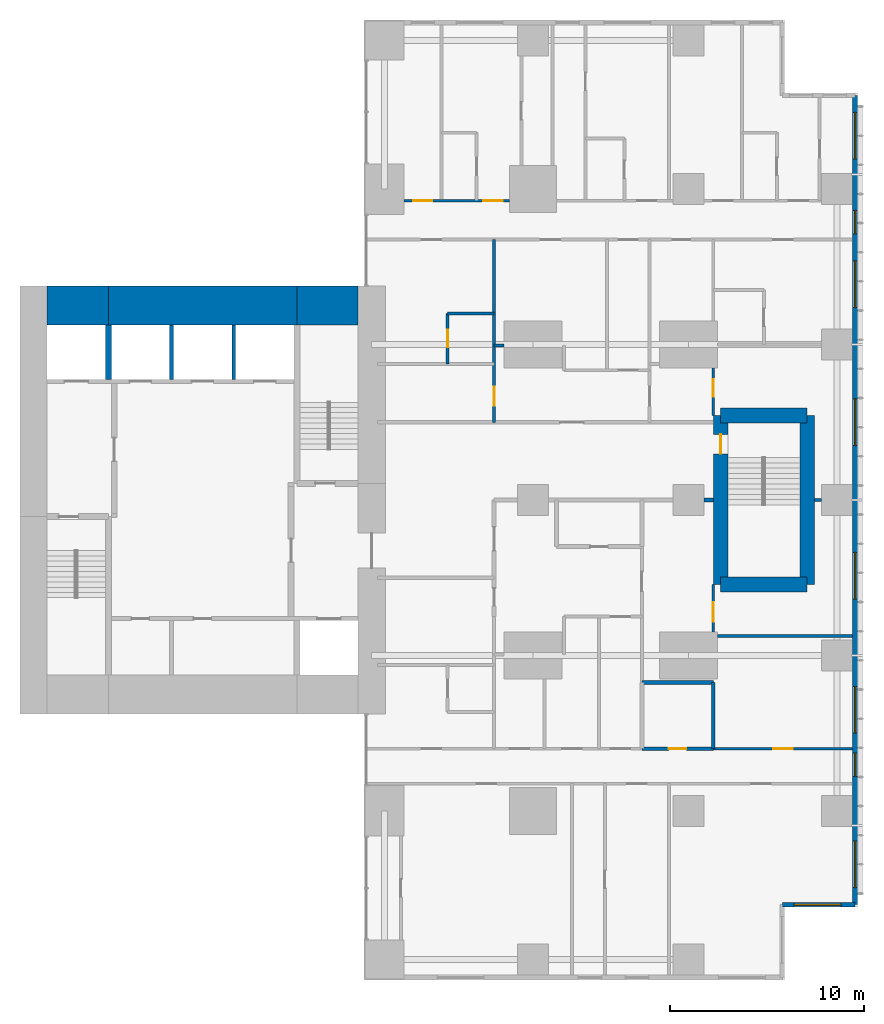
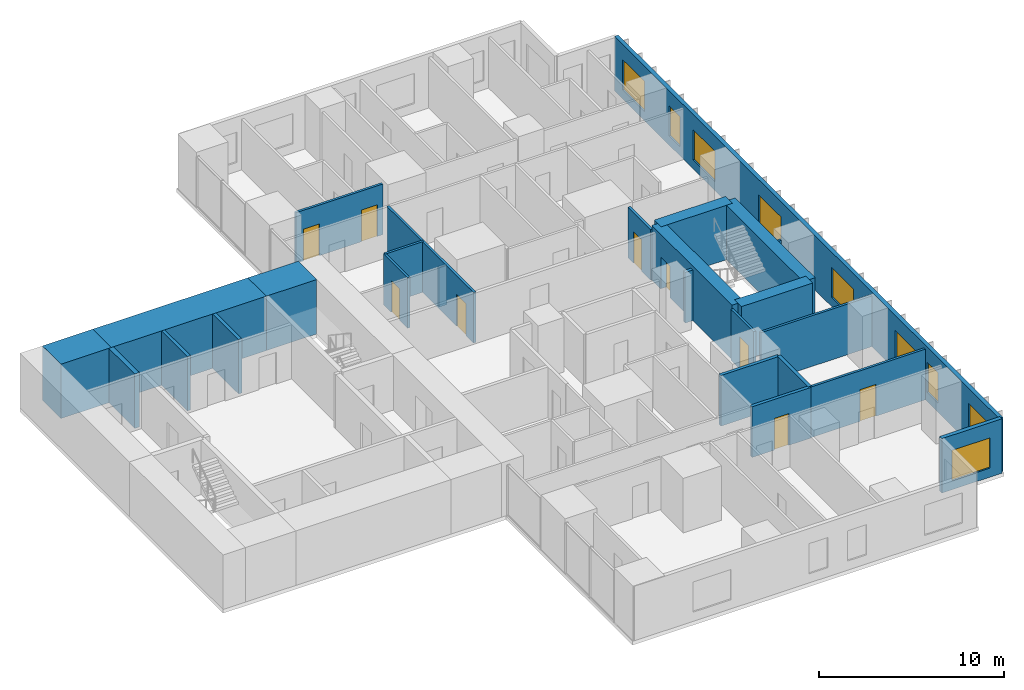
# One storey, part 9 of 12: 26 walls, 9 doors, 9 windows, 18 openings.
"""IFC4 building model written with IfcOpenShell, lengths in metres."""

from ifc_helpers import new_model, si_unit, direction, frame, frame_2d, origin, place, context, subcontext, project, spatial, rectangle, extrude, material, layer, layer_set, type_object, element, fill, save


model = new_model("IFC4")

# Units and contexts
model_context = context("Model", 3, precision=1e-05, world=origin(), true_north=direction((0.0, 1.0)))
body_context = subcontext(model_context, "Body", "Model", "MODEL_VIEW")
ifc_project = project(units=[si_unit("LENGTHUNIT", "METRE"), si_unit("AREAUNIT", "SQUARE_METRE"), si_unit("VOLUMEUNIT", "CUBIC_METRE"), si_unit("PLANEANGLEUNIT", "RADIAN"), si_unit("MASSUNIT", "GRAM", prefix="KILO")], contexts=[model_context])

# Site, building, storey
site_placement = place(None, origin())
site = spatial("IfcSite", under=ifc_project, at=site_placement, CompositionType="ELEMENT")
building_placement = place(site_placement, origin())
building = spatial("IfcBuilding", under=site, at=building_placement, Name="Cleftline Residences", CompositionType="ELEMENT")
storey_placement = place(building_placement, frame((0.0, 0.0, 259.199951171875)))
storey = spatial("IfcBuildingStorey", under=building, at=storey_placement, Name="L68", CompositionType="ELEMENT", Elevation=259.199951171875)

# Walls
ifc_material_1 = material(Name="Concrete B70", Category="concrete")
ifc_layer_1 = layer(ifc_material_1, 2.0)
ifc_layer_set_1 = layer_set([ifc_layer_1], Name="CORE WALL 2000")
wall_type_1 = type_object("IfcWallType", Name="CORE WALL 2000", PredefinedType="SHEAR", material=ifc_layer_set_1)
wall_1_placement = place(storey_placement, frame((25.0, 34.0, 0.0), z_axis=(0.0, 0.0, 1.0), x_axis=(1.0, 0.0, 0.0)))
element("IfcWall", 1, at=wall_1_placement, inside=storey, type_object=wall_type_1, Name="Core wall N1", PredefinedType="SHEAR", context=body_context, shape_type="SweptSolid", body=[
    extrude(rectangle(XDim=3.14990234375, YDim=2.0, at=frame_2d((1.574951171875, 0.0))), origin(), (0.0, 0.0, 1.0), 3.60009765625),
])
wall_2_placement = place(storey_placement, frame((28.14990234375, 34.0, 0.0), z_axis=(0.0, 0.0, 1.0), x_axis=(1.0, 0.0, 0.0)))
element("IfcWall", 2, at=wall_2_placement, inside=storey, type_object=wall_type_1, Name="Core wall N2", PredefinedType="SHEAR", context=body_context, shape_type="SweptSolid", body=[
    extrude(rectangle(XDim=9.7001953125, YDim=2.0, at=frame_2d((4.85009765625, 0.0))), origin(), (0.0, 0.0, 1.0), 3.60009765625),
])
wall_3_placement = place(storey_placement, frame((37.85009765625, 34.0, 0.0), z_axis=(0.0, 0.0, 1.0), x_axis=(1.0, 0.0, 0.0)))
element("IfcWall", 3, at=wall_3_placement, inside=storey, type_object=wall_type_1, Name="Core wall N3", PredefinedType="SHEAR", context=body_context, shape_type="SweptSolid", body=[
    extrude(rectangle(XDim=3.14990234375, YDim=2.0, at=frame_2d((1.574951171875, 0.0))), origin(), (0.0, 0.0, 1.0), 3.60009765625),
])
ifc_material_2 = material(Name="Concrete B70", Category="concrete")
ifc_layer_2 = layer(ifc_material_2, 0.300048828125)
ifc_layer_set_2 = layer_set([ifc_layer_2], Name="CORE WALL 300")
wall_type_2 = type_object("IfcWallType", Name="CORE WALL 300", PredefinedType="SHEAR", material=ifc_layer_set_2)
wall_4_placement = place(storey_placement, frame((28.14990234375, 30.199951171875, 0.0), z_axis=(0.0, 0.0, 1.0), x_axis=(0.0, 1.0, 0.0)))
element("IfcWall", 4, at=wall_4_placement, inside=storey, type_object=wall_type_2, Name="Lift shaft wall", PredefinedType="SHEAR", context=body_context, shape_type="SweptSolid", body=[
    extrude(rectangle(XDim=2.800048828125, YDim=0.300048828125, at=frame_2d((1.39990234375, 0.0))), origin(), (0.0, 0.0, 1.0), 3.60009765625),
])

# Wall, opening, window
ifc_material_3 = material(Name="Rendered reinforced concrete blockwork", Category="masonry")
ifc_layer_3 = layer(ifc_material_3, 0.25)
ifc_layer_set_3 = layer_set([ifc_layer_3], Name="EXTERNAL WALL 250")
wall_type_3 = type_object("IfcWallType", Name="EXTERNAL WALL 250", PredefinedType="SOLIDWALL", material=ifc_layer_set_3)
wall_5_placement = place(storey_placement, frame((62.824951171875, 3.175048828125, 0.0), z_axis=(0.0, 0.0, 1.0), x_axis=(1.0, 0.0, 0.0)))
wall_5 = element("IfcWall", 5, at=wall_5_placement, inside=storey, type_object=wall_type_3, Name="External wall", PredefinedType="SOLIDWALL", context=body_context, shape_type="SweptSolid", body=[
    extrude(rectangle(XDim=3.75, YDim=0.25, at=frame_2d((1.875, 0.0))), origin(), (0.0, 0.0, 1.0), 3.60009765625),
])
opening_1_placement = place(wall_5_placement, frame((0.612548828125, 0.0, 0.60009765625)))
opening_1 = element("IfcOpeningElement", 6, at=opening_1_placement, cuts=wall_5, Name="Opening W6", PredefinedType="OPENING", context=body_context, shape_type="SweptSolid", body=[
    extrude(rectangle(XDim=2.39990234375, YDim=2.0, at=frame_2d((1.199951171875, 1.0))), frame((0.0, 0.135009765625, 0.0), z_axis=(0.0, -1.0, 0.0), x_axis=(1.0, 0.0, 0.0)), (0.0, 0.0, 1.0), 0.27001953125),
])
ifc_material_4 = material(Name="Aluminium frame, clear double glazing", Category="aluminium")
window_type_1 = type_object("IfcWindowType", Name="WINDOW 2400X2000", PartitioningType="DOUBLE_PANEL_VERTICAL", PredefinedType="WINDOW", material=ifc_material_4)
window_1_placement = place(opening_1_placement, origin())
window_1 = element("IfcWindow", 7, at=window_1_placement, inside=storey, type_object=window_type_1, Name="Window", OverallHeight=2.0, OverallWidth=2.39990234375, PartitioningType="SINGLE_PANEL", PredefinedType="WINDOW", context=body_context, shape_type="SweptSolid", body=[
    extrude(rectangle(XDim=2.39990234375, YDim=2.0, at=frame_2d((1.199951171875, 1.0))), frame((0.0, 0.030029296875, 0.0), z_axis=(0.0, -1.0, 0.0), x_axis=(1.0, 0.0, 0.0)), (0.0, 0.0, 1.0), 0.06005859375),
])
fill(opening_1, window_1)

# Wall, openings, windows
wall_6_placement = place(storey_placement, frame((66.574951171875, 3.175048828125, 0.0), z_axis=(0.0, 0.0, 1.0), x_axis=(0.0, 1.0, 0.0)))
wall_6 = element("IfcWall", 8, at=wall_6_placement, inside=storey, type_object=wall_type_3, Name="External wall", PredefinedType="SOLIDWALL", context=body_context, shape_type="SweptSolid", body=[
    extrude(rectangle(XDim=41.64990234375, YDim=0.25, at=frame_2d((20.824951171875, 0.0))), origin(), (0.0, 0.0, 1.0), 3.60009765625),
])
opening_2_placement = place(wall_6_placement, frame((0.875, 0.0, 0.60009765625)))
opening_2 = element("IfcOpeningElement", 9, at=opening_2_placement, cuts=wall_6, Name="Opening W6", PredefinedType="OPENING", context=body_context, shape_type="SweptSolid", body=[
    extrude(rectangle(XDim=2.39990234375, YDim=2.0, at=frame_2d((1.199951171875, 1.0))), frame((0.0, 0.135009765625, 0.0), z_axis=(0.0, -1.0, 0.0), x_axis=(1.0, 0.0, 0.0)), (0.0, 0.0, 1.0), 0.27001953125),
])
opening_3_placement = place(wall_6_placement, frame((6.60009765625, 0.0, 0.60009765625)))
opening_3 = element("IfcOpeningElement", 10, at=opening_3_placement, cuts=wall_6, Name="Opening W8", PredefinedType="OPENING", context=body_context, shape_type="SweptSolid", body=[
    extrude(rectangle(XDim=1.199951171875, YDim=2.0, at=frame_2d((0.60009765625, 1.0))), frame((0.0, 0.135009765625, 0.0), z_axis=(0.0, -1.0, 0.0), x_axis=(1.0, 0.0, 0.0)), (0.0, 0.0, 1.0), 0.27001953125),
])
opening_4_placement = place(wall_6_placement, frame((8.824951171875, 0.0, 0.60009765625)))
opening_4 = element("IfcOpeningElement", 11, at=opening_4_placement, cuts=wall_6, Name="Opening W6", PredefinedType="OPENING", context=body_context, shape_type="SweptSolid", body=[
    extrude(rectangle(XDim=2.39990234375, YDim=2.0, at=frame_2d((1.199951171875, 1.0))), frame((0.0, 0.135009765625, 0.0), z_axis=(0.0, -1.0, 0.0), x_axis=(1.0, 0.0, 0.0)), (0.0, 0.0, 1.0), 0.27001953125),
])
opening_5_placement = place(wall_6_placement, frame((15.72509765625, 0.0, 0.60009765625)))
opening_5 = element("IfcOpeningElement", 12, at=opening_5_placement, cuts=wall_6, Name="Opening W6", PredefinedType="OPENING", context=body_context, shape_type="SweptSolid", body=[
    extrude(rectangle(XDim=2.39990234375, YDim=2.0, at=frame_2d((1.199951171875, 1.0))), frame((0.0, 0.135009765625, 0.0), z_axis=(0.0, -1.0, 0.0), x_axis=(1.0, 0.0, 0.0)), (0.0, 0.0, 1.0), 0.27001953125),
])
opening_6_placement = place(wall_6_placement, frame((23.625, 0.0, 0.60009765625)))
opening_6 = element("IfcOpeningElement", 13, at=opening_6_placement, cuts=wall_6, Name="Opening W6", PredefinedType="OPENING", context=body_context, shape_type="SweptSolid", body=[
    extrude(rectangle(XDim=2.39990234375, YDim=2.0, at=frame_2d((1.199951171875, 1.0))), frame((0.0, 0.135009765625, 0.0), z_axis=(0.0, -1.0, 0.0), x_axis=(1.0, 0.0, 0.0)), (0.0, 0.0, 1.0), 0.27001953125),
])
opening_7_placement = place(wall_6_placement, frame((30.72509765625, 0.0, 0.60009765625)))
opening_7 = element("IfcOpeningElement", 14, at=opening_7_placement, cuts=wall_6, Name="Opening W6", PredefinedType="OPENING", context=body_context, shape_type="SweptSolid", body=[
    extrude(rectangle(XDim=2.39990234375, YDim=2.0, at=frame_2d((1.199951171875, 1.0))), frame((0.0, 0.135009765625, 0.0), z_axis=(0.0, -1.0, 0.0), x_axis=(1.0, 0.0, 0.0)), (0.0, 0.0, 1.0), 0.27001953125),
])
opening_8_placement = place(wall_6_placement, frame((34.52490234375, 0.0, 0.60009765625)))
opening_8 = element("IfcOpeningElement", 15, at=opening_8_placement, cuts=wall_6, Name="Opening W8", PredefinedType="OPENING", context=body_context, shape_type="SweptSolid", body=[
    extrude(rectangle(XDim=1.199951171875, YDim=2.0, at=frame_2d((0.60009765625, 1.0))), frame((0.0, 0.135009765625, 0.0), z_axis=(0.0, -1.0, 0.0), x_axis=(1.0, 0.0, 0.0)), (0.0, 0.0, 1.0), 0.27001953125),
])
opening_9_placement = place(wall_6_placement, frame((38.375, 0.0, 0.60009765625)))
opening_9 = element("IfcOpeningElement", 16, at=opening_9_placement, cuts=wall_6, Name="Opening W6", PredefinedType="OPENING", context=body_context, shape_type="SweptSolid", body=[
    extrude(rectangle(XDim=2.39990234375, YDim=2.0, at=frame_2d((1.199951171875, 1.0))), frame((0.0, 0.135009765625, 0.0), z_axis=(0.0, -1.0, 0.0), x_axis=(1.0, 0.0, 0.0)), (0.0, 0.0, 1.0), 0.27001953125),
])
ifc_material_5 = material(Name="Aluminium frame, clear double glazing", Category="aluminium")
window_type_2 = type_object("IfcWindowType", Name="WINDOW 1200X2000", PartitioningType="DOUBLE_PANEL_VERTICAL", PredefinedType="WINDOW", material=ifc_material_5)
window_2_placement = place(opening_3_placement, origin())
window_2 = element("IfcWindow", 17, at=window_2_placement, inside=storey, type_object=window_type_2, Name="Window", OverallHeight=2.0, OverallWidth=1.199951171875, PartitioningType="SINGLE_PANEL", PredefinedType="WINDOW", context=body_context, shape_type="SweptSolid", body=[
    extrude(rectangle(XDim=1.199951171875, YDim=2.0, at=frame_2d((0.60009765625, 1.0))), frame((0.0, 0.030029296875, 0.0), z_axis=(0.0, -1.0, 0.0), x_axis=(1.0, 0.0, 0.0)), (0.0, 0.0, 1.0), 0.06005859375),
])
fill(opening_3, window_2)
window_3_placement = place(opening_8_placement, origin())
window_3 = element("IfcWindow", 18, at=window_3_placement, inside=storey, type_object=window_type_2, Name="Window", OverallHeight=2.0, OverallWidth=1.199951171875, PartitioningType="SINGLE_PANEL", PredefinedType="WINDOW", context=body_context, shape_type="SweptSolid", body=[
    extrude(rectangle(XDim=1.199951171875, YDim=2.0, at=frame_2d((0.60009765625, 1.0))), frame((0.0, 0.030029296875, 0.0), z_axis=(0.0, -1.0, 0.0), x_axis=(1.0, 0.0, 0.0)), (0.0, 0.0, 1.0), 0.06005859375),
])
fill(opening_8, window_3)
window_4_placement = place(opening_2_placement, origin())
window_4 = element("IfcWindow", 19, at=window_4_placement, inside=storey, type_object=window_type_1, Name="Window", OverallHeight=2.0, OverallWidth=2.39990234375, PartitioningType="SINGLE_PANEL", PredefinedType="WINDOW", context=body_context, shape_type="SweptSolid", body=[
    extrude(rectangle(XDim=2.39990234375, YDim=2.0, at=frame_2d((1.199951171875, 1.0))), frame((0.0, 0.030029296875, 0.0), z_axis=(0.0, -1.0, 0.0), x_axis=(1.0, 0.0, 0.0)), (0.0, 0.0, 1.0), 0.06005859375),
])
fill(opening_2, window_4)
window_5_placement = place(opening_4_placement, origin())
window_5 = element("IfcWindow", 20, at=window_5_placement, inside=storey, type_object=window_type_1, Name="Window", OverallHeight=2.0, OverallWidth=2.39990234375, PartitioningType="SINGLE_PANEL", PredefinedType="WINDOW", context=body_context, shape_type="SweptSolid", body=[
    extrude(rectangle(XDim=2.39990234375, YDim=2.0, at=frame_2d((1.199951171875, 1.0))), frame((0.0, 0.030029296875, 0.0), z_axis=(0.0, -1.0, 0.0), x_axis=(1.0, 0.0, 0.0)), (0.0, 0.0, 1.0), 0.06005859375),
])
fill(opening_4, window_5)
window_6_placement = place(opening_5_placement, origin())
window_6 = element("IfcWindow", 21, at=window_6_placement, inside=storey, type_object=window_type_1, Name="Window", OverallHeight=2.0, OverallWidth=2.39990234375, PartitioningType="SINGLE_PANEL", PredefinedType="WINDOW", context=body_context, shape_type="SweptSolid", body=[
    extrude(rectangle(XDim=2.39990234375, YDim=2.0, at=frame_2d((1.199951171875, 1.0))), frame((0.0, 0.030029296875, 0.0), z_axis=(0.0, -1.0, 0.0), x_axis=(1.0, 0.0, 0.0)), (0.0, 0.0, 1.0), 0.06005859375),
])
fill(opening_5, window_6)
window_7_placement = place(opening_6_placement, origin())
window_7 = element("IfcWindow", 22, at=window_7_placement, inside=storey, type_object=window_type_1, Name="Window", OverallHeight=2.0, OverallWidth=2.39990234375, PartitioningType="SINGLE_PANEL", PredefinedType="WINDOW", context=body_context, shape_type="SweptSolid", body=[
    extrude(rectangle(XDim=2.39990234375, YDim=2.0, at=frame_2d((1.199951171875, 1.0))), frame((0.0, 0.030029296875, 0.0), z_axis=(0.0, -1.0, 0.0), x_axis=(1.0, 0.0, 0.0)), (0.0, 0.0, 1.0), 0.06005859375),
])
fill(opening_6, window_7)
window_8_placement = place(opening_7_placement, origin())
window_8 = element("IfcWindow", 23, at=window_8_placement, inside=storey, type_object=window_type_1, Name="Window", OverallHeight=2.0, OverallWidth=2.39990234375, PartitioningType="SINGLE_PANEL", PredefinedType="WINDOW", context=body_context, shape_type="SweptSolid", body=[
    extrude(rectangle(XDim=2.39990234375, YDim=2.0, at=frame_2d((1.199951171875, 1.0))), frame((0.0, 0.030029296875, 0.0), z_axis=(0.0, -1.0, 0.0), x_axis=(1.0, 0.0, 0.0)), (0.0, 0.0, 1.0), 0.06005859375),
])
fill(opening_7, window_8)
window_9_placement = place(opening_9_placement, origin())
window_9 = element("IfcWindow", 24, at=window_9_placement, inside=storey, type_object=window_type_1, Name="Window", OverallHeight=2.0, OverallWidth=2.39990234375, PartitioningType="SINGLE_PANEL", PredefinedType="WINDOW", context=body_context, shape_type="SweptSolid", body=[
    extrude(rectangle(XDim=2.39990234375, YDim=2.0, at=frame_2d((1.199951171875, 1.0))), frame((0.0, 0.030029296875, 0.0), z_axis=(0.0, -1.0, 0.0), x_axis=(1.0, 0.0, 0.0)), (0.0, 0.0, 1.0), 0.06005859375),
])
fill(opening_9, window_9)

# Wall, opening, door
ifc_material_6 = material(Name="Concrete blockwork, fire rated", Category="masonry")
ifc_layer_4 = layer(ifc_material_6, 0.199951171875)
ifc_layer_set_4 = layer_set([ifc_layer_4], Name="FIRE WALL 200")
wall_type_4 = type_object("IfcWallType", Name="FIRE WALL 200", PredefinedType="PARTITIONING", material=ifc_layer_set_4)
wall_7_placement = place(storey_placement, frame((55.60009765625, 11.199951171875, 0.0), z_axis=(0.0, 0.0, 1.0), x_axis=(1.0, 0.0, 0.0)))
wall_7 = element("IfcWall", 25, at=wall_7_placement, inside=storey, type_object=wall_type_4, Name="Fire separating wall", PredefinedType="PARTITIONING", context=body_context, shape_type="SweptSolid", body=[
    extrude(rectangle(XDim=3.6748046875, YDim=0.199951171875, at=frame_2d((1.83740234375, 0.0))), origin(), (0.0, 0.0, 1.0), 3.35009765625),
])
opening_10_placement = place(wall_7_placement, frame((1.387451171875, 0.0, 0.0)))
opening_10 = element("IfcOpeningElement", 26, at=opening_10_placement, cuts=wall_7, Name="Opening D1F30", PredefinedType="OPENING", context=body_context, shape_type="SweptSolid", body=[
    extrude(rectangle(XDim=0.89990234375, YDim=2.10009765625, at=frame_2d((0.449951171875, 1.050048828125))), frame((0.0, 0.10986328125, 0.0), z_axis=(0.0, -1.0, 0.0), x_axis=(1.0, 0.0, 0.0)), (0.0, 0.0, 1.0), 0.219970703125),
])
ifc_material_7 = material(Name="Timber veneer on solid core", Category="wood")
door_type_1 = type_object("IfcDoorType", Name="DOOR 900X2100 EI 30", OperationType="SINGLE_SWING_LEFT", PredefinedType="DOOR", material=ifc_material_7)
door_1_placement = place(opening_10_placement, origin())
door_1 = element("IfcDoor", 27, at=door_1_placement, inside=storey, type_object=door_type_1, Name="Door to guest wc", OperationType="SINGLE_SWING_LEFT", OverallHeight=2.10009765625, OverallWidth=0.89990234375, PredefinedType="DOOR", context=body_context, shape_type="SweptSolid", body=[
    extrude(rectangle(XDim=0.89990234375, YDim=2.10009765625, at=frame_2d((0.449951171875, 1.050048828125))), frame((0.0, 0.02490234375, 0.0), z_axis=(0.0, -1.0, 0.0), x_axis=(1.0, 0.0, 0.0)), (0.0, 0.0, 1.0), 0.050048828125),
])
fill(opening_10, door_1)

# Walls
wall_8_placement = place(storey_placement, frame((55.60009765625, 14.60009765625, 0.0), z_axis=(0.0, 0.0, 1.0), x_axis=(1.0, 0.0, 0.0)))
element("IfcWall", 28, at=wall_8_placement, inside=storey, type_object=wall_type_4, Name="Fire separating wall", PredefinedType="PARTITIONING", context=body_context, shape_type="SweptSolid", body=[
    extrude(rectangle(XDim=3.6748046875, YDim=0.199951171875, at=frame_2d((1.83740234375, 0.0))), origin(), (0.0, 0.0, 1.0), 3.35009765625),
])
wall_9_placement = place(storey_placement, frame((58.800048828125, 24.0, 0.0), z_axis=(0.0, 0.0, 1.0), x_axis=(1.0, 0.0, 0.0)))
element("IfcWall", 29, at=wall_9_placement, inside=storey, type_object=wall_type_4, Name="Fire separating wall", PredefinedType="PARTITIONING", context=body_context, shape_type="SweptSolid", body=[
    extrude(rectangle(XDim=0.474853515625, YDim=0.199951171875, at=frame_2d((0.2373046875, 0.0))), origin(), (0.0, 0.0, 1.0), 3.35009765625),
])
wall_10_placement = place(storey_placement, frame((59.27490234375, 11.199951171875, 0.0), z_axis=(0.0, 0.0, 1.0), x_axis=(0.0, 1.0, 0.0)))
element("IfcWall", 30, at=wall_10_placement, inside=storey, type_object=wall_type_4, Name="Fire separating wall", PredefinedType="PARTITIONING", context=body_context, shape_type="SweptSolid", body=[
    extrude(rectangle(XDim=3.400146484375, YDim=0.199951171875, at=frame_2d((1.7001953125, 0.0))), origin(), (0.0, 0.0, 1.0), 3.35009765625),
])

# Wall, opening, door
ifc_material_8 = material(Name="Gypsum board on steel studs", Category="steel")
ifc_layer_5 = layer(ifc_material_8, 0.14990234375)
ifc_layer_set_5 = layer_set([ifc_layer_5], Name="PARTITION 150")
wall_type_5 = type_object("IfcWallType", Name="PARTITION 150", PredefinedType="PARTITIONING", material=ifc_layer_set_5)
wall_11_placement = place(storey_placement, frame((59.27490234375, 11.199951171875, 0.0), z_axis=(0.0, 0.0, 1.0), x_axis=(1.0, 0.0, 0.0)))
wall_11 = element("IfcWall", 31, at=wall_11_placement, inside=storey, type_object=wall_type_5, Name="Partition", PredefinedType="PARTITIONING", context=body_context, shape_type="SweptSolid", body=[
    extrude(rectangle(XDim=7.175048828125, YDim=0.14990234375, at=frame_2d((3.58740234375, 0.0))), origin(), (0.0, 0.0, 1.0), 3.35009765625),
])
opening_11_placement = place(wall_11_placement, frame((3.08740234375, 0.0, 0.0)))
opening_11 = element("IfcOpeningElement", 32, at=opening_11_placement, cuts=wall_11, Name="Opening D2", PredefinedType="OPENING", context=body_context, shape_type="SweptSolid", body=[
    extrude(rectangle(XDim=1.0, YDim=2.10009765625, at=frame_2d((0.5, 1.050048828125))), frame((0.0, 0.0849609375, 0.0), z_axis=(0.0, -1.0, 0.0), x_axis=(1.0, 0.0, 0.0)), (0.0, 0.0, 1.0), 0.169921875),
])
ifc_material_9 = material(Name="Timber veneer on solid core", Category="wood")
door_type_2 = type_object("IfcDoorType", Name="DOOR 1000X2100", OperationType="SINGLE_SWING_LEFT", PredefinedType="DOOR", material=ifc_material_9)
door_2_placement = place(opening_11_placement, origin())
door_2 = element("IfcDoor", 33, at=door_2_placement, inside=storey, type_object=door_type_2, Name="Door to sea-view living room", OperationType="SINGLE_SWING_LEFT", OverallHeight=2.10009765625, OverallWidth=1.0, PredefinedType="DOOR", context=body_context, shape_type="SweptSolid", body=[
    extrude(rectangle(XDim=1.0, YDim=2.10009765625, at=frame_2d((0.5, 1.050048828125))), frame((0.0, 0.02490234375, 0.0), z_axis=(0.0, -1.0, 0.0), x_axis=(1.0, 0.0, 0.0)), (0.0, 0.0, 1.0), 0.050048828125),
])
fill(opening_11, door_2)

# Walls
wall_12_placement = place(storey_placement, frame((59.5, 17.0, 0.0), z_axis=(0.0, 0.0, 1.0), x_axis=(1.0, 0.0, 0.0)))
element("IfcWall", 34, at=wall_12_placement, inside=storey, type_object=wall_type_5, Name="Partition", PredefinedType="PARTITIONING", context=body_context, shape_type="SweptSolid", body=[
    extrude(rectangle(XDim=6.949951171875, YDim=0.14990234375, at=frame_2d((3.47509765625, 0.0))), origin(), (0.0, 0.0, 1.0), 3.35009765625),
])
wall_13_placement = place(storey_placement, frame((64.47509765625, 24.0, 0.0), z_axis=(0.0, 0.0, 1.0), x_axis=(1.0, 0.0, 0.0)))
element("IfcWall", 35, at=wall_13_placement, inside=storey, type_object=wall_type_5, Name="Partition", PredefinedType="PARTITIONING", context=body_context, shape_type="SweptSolid", body=[
    extrude(rectangle(XDim=0.375, YDim=0.14990234375, at=frame_2d((0.1875, 0.0))), origin(), (0.0, 0.0, 1.0), 3.35009765625),
])
wall_14_placement = place(storey_placement, frame((48.0, 31.949951171875, 0.0), z_axis=(0.0, 0.0, 1.0), x_axis=(1.0, 0.0, 0.0)))
element("IfcWall", 36, at=wall_14_placement, inside=storey, type_object=wall_type_5, Name="Partition", PredefinedType="PARTITIONING", context=body_context, shape_type="SweptSolid", body=[
    extrude(rectangle(XDim=0.5, YDim=0.14990234375, at=frame_2d((0.25, 0.0))), origin(), (0.0, 0.0, 1.0), 2.634033203125),
])
wall_15_placement = place(storey_placement, frame((45.60009765625, 33.60009765625, 0.0), z_axis=(0.0, 0.0, 1.0), x_axis=(1.0, 0.0, 0.0)))
element("IfcWall", 37, at=wall_15_placement, inside=storey, type_object=wall_type_5, Name="Partition", PredefinedType="PARTITIONING", context=body_context, shape_type="SweptSolid", body=[
    extrude(rectangle(XDim=2.39990234375, YDim=0.14990234375, at=frame_2d((1.199951171875, 0.0))), origin(), (0.0, 0.0, 1.0), 3.35009765625),
])

# Wall, openings, doors
wall_16_placement = place(storey_placement, frame((43.35009765625, 39.39990234375, 0.0), z_axis=(0.0, 0.0, 1.0), x_axis=(1.0, 0.0, 0.0)))
wall_16 = element("IfcWall", 38, at=wall_16_placement, inside=storey, type_object=wall_type_5, Name="Partition", PredefinedType="PARTITIONING", context=body_context, shape_type="SweptSolid", body=[
    extrude(rectangle(XDim=5.449951171875, YDim=0.14990234375, at=frame_2d((2.72509765625, 0.0))), origin(), (0.0, 0.0, 1.0), 3.35009765625),
])
opening_12_placement = place(wall_16_placement, frame((4.10009765625, 0.0, 0.0)))
opening_12 = element("IfcOpeningElement", 39, at=opening_12_placement, cuts=wall_16, Name="Opening D2", PredefinedType="OPENING", context=body_context, shape_type="SweptSolid", body=[
    extrude(rectangle(XDim=1.0, YDim=2.10009765625, at=frame_2d((0.5, 1.050048828125))), frame((0.0, 0.0849609375, 0.0), z_axis=(0.0, -1.0, 0.0), x_axis=(1.0, 0.0, 0.0)), (0.0, 0.0, 1.0), 0.169921875),
])
opening_13_placement = place(wall_16_placement, frame((0.47509765625, 0.0, 0.0)))
opening_13 = element("IfcOpeningElement", 40, at=opening_13_placement, cuts=wall_16, Name="Opening D2", PredefinedType="OPENING", context=body_context, shape_type="SweptSolid", body=[
    extrude(rectangle(XDim=1.0, YDim=2.10009765625, at=frame_2d((0.5, 1.050048828125))), frame((0.0, 0.0849609375, 0.0), z_axis=(0.0, -1.0, 0.0), x_axis=(1.0, 0.0, 0.0)), (0.0, 0.0, 1.0), 0.169921875),
])
door_3_placement = place(opening_12_placement, origin())
door_3 = element("IfcDoor", 41, at=door_3_placement, inside=storey, type_object=door_type_2, Name="Door to bedroom 4", OperationType="SINGLE_SWING_LEFT", OverallHeight=2.10009765625, OverallWidth=1.0, PredefinedType="DOOR", context=body_context, shape_type="SweptSolid", body=[
    extrude(rectangle(XDim=1.0, YDim=2.10009765625, at=frame_2d((0.5, 1.050048828125))), frame((0.0, 0.02490234375, 0.0), z_axis=(0.0, -1.0, 0.0), x_axis=(1.0, 0.0, 0.0)), (0.0, 0.0, 1.0), 0.050048828125),
])
fill(opening_12, door_3)
door_4_placement = place(opening_13_placement, origin())
door_4 = element("IfcDoor", 42, at=door_4_placement, inside=storey, type_object=door_type_2, Name="Door to gym", OperationType="SINGLE_SWING_RIGHT", OverallHeight=2.10009765625, OverallWidth=1.0, PredefinedType="DOOR", context=body_context, shape_type="SweptSolid", body=[
    extrude(rectangle(XDim=1.0, YDim=2.10009765625, at=frame_2d((0.5, 1.050048828125))), frame((0.0, 0.02490234375, 0.0), z_axis=(0.0, -1.0, 0.0), x_axis=(1.0, 0.0, 0.0)), (0.0, 0.0, 1.0), 0.050048828125),
])
fill(opening_13, door_4)

# Wall, opening, door
wall_17_placement = place(storey_placement, frame((45.60009765625, 31.0, 0.0), z_axis=(0.0, 0.0, 1.0), x_axis=(0.0, 1.0, 0.0)))
wall_17 = element("IfcWall", 43, at=wall_17_placement, inside=storey, type_object=wall_type_5, Name="Partition", PredefinedType="PARTITIONING", context=body_context, shape_type="SweptSolid", body=[
    extrude(rectangle(XDim=2.60009765625, YDim=0.14990234375, at=frame_2d((1.300048828125, 0.0))), origin(), (0.0, 0.0, 1.0), 3.35009765625),
])
opening_14_placement = place(wall_17_placement, frame((0.85009765625, 0.0, 0.0)))
opening_14 = element("IfcOpeningElement", 44, at=opening_14_placement, cuts=wall_17, Name="Opening D1", PredefinedType="OPENING", context=body_context, shape_type="SweptSolid", body=[
    extrude(rectangle(XDim=0.89990234375, YDim=2.10009765625, at=frame_2d((0.449951171875, 1.050048828125))), frame((0.0, 0.0849609375, 0.0), z_axis=(0.0, -1.0, 0.0), x_axis=(1.0, 0.0, 0.0)), (0.0, 0.0, 1.0), 0.169921875),
])
ifc_material_10 = material(Name="Timber veneer on solid core", Category="wood")
door_type_3 = type_object("IfcDoorType", Name="DOOR 900X2100", OperationType="SINGLE_SWING_LEFT", PredefinedType="DOOR", material=ifc_material_10)
door_5_placement = place(opening_14_placement, origin())
door_5 = element("IfcDoor", 45, at=door_5_placement, inside=storey, type_object=door_type_3, Name="Door to en-suite bathroom 5", OperationType="SINGLE_SWING_LEFT", OverallHeight=2.10009765625, OverallWidth=0.89990234375, PredefinedType="DOOR", context=body_context, shape_type="SweptSolid", body=[
    extrude(rectangle(XDim=0.89990234375, YDim=2.10009765625, at=frame_2d((0.449951171875, 1.050048828125))), frame((0.0, 0.02490234375, 0.0), z_axis=(0.0, -1.0, 0.0), x_axis=(1.0, 0.0, 0.0)), (0.0, 0.0, 1.0), 0.050048828125),
])
fill(opening_14, door_5)

wall_18_placement = place(storey_placement, frame((48.0, 28.0, 0.0), z_axis=(0.0, 0.0, 1.0), x_axis=(0.0, 1.0, 0.0)))
wall_18 = element("IfcWall", 46, at=wall_18_placement, inside=storey, type_object=wall_type_5, Name="Partition", PredefinedType="PARTITIONING", context=body_context, shape_type="SweptSolid", body=[
    extrude(rectangle(XDim=9.39990234375, YDim=0.14990234375, at=frame_2d((4.699951171875, 0.0))), origin(), (0.0, 0.0, 1.0), 3.35009765625),
])
opening_15_placement = place(wall_18_placement, frame((0.83740234375, 0.0, 0.0)))
opening_15 = element("IfcOpeningElement", 47, at=opening_15_placement, cuts=wall_18, Name="Opening D2", PredefinedType="OPENING", context=body_context, shape_type="SweptSolid", body=[
    extrude(rectangle(XDim=1.0, YDim=2.10009765625, at=frame_2d((0.5, 1.050048828125))), frame((0.0, 0.0849609375, 0.0), z_axis=(0.0, -1.0, 0.0), x_axis=(1.0, 0.0, 0.0)), (0.0, 0.0, 1.0), 0.169921875),
])
door_6_placement = place(opening_15_placement, origin())
door_6 = element("IfcDoor", 48, at=door_6_placement, inside=storey, type_object=door_type_2, Name="Door to morning kitchen", OperationType="SINGLE_SWING_RIGHT", OverallHeight=2.10009765625, OverallWidth=1.0, PredefinedType="DOOR", context=body_context, shape_type="SweptSolid", body=[
    extrude(rectangle(XDim=1.0, YDim=2.10009765625, at=frame_2d((0.5, 1.050048828125))), frame((0.0, 0.02490234375, 0.0), z_axis=(0.0, -1.0, 0.0), x_axis=(1.0, 0.0, 0.0)), (0.0, 0.0, 1.0), 0.050048828125),
])
fill(opening_15, door_6)

wall_19_placement = place(storey_placement, frame((59.27490234375, 17.199951171875, 0.0), z_axis=(0.0, 0.0, 1.0), x_axis=(0.0, 1.0, 0.0)))
wall_19 = element("IfcWall", 49, at=wall_19_placement, inside=storey, type_object=wall_type_5, Name="Partition", PredefinedType="PARTITIONING", context=body_context, shape_type="SweptSolid", body=[
    extrude(rectangle(XDim=2.449951171875, YDim=0.14990234375, at=frame_2d((1.22509765625, 0.0))), origin(), (0.0, 0.0, 1.0), 3.35009765625),
])
opening_16_placement = place(wall_19_placement, frame((0.53759765625, 0.0, 0.0)))
opening_16 = element("IfcOpeningElement", 50, at=opening_16_placement, cuts=wall_19, Name="Opening D2", PredefinedType="OPENING", context=body_context, shape_type="SweptSolid", body=[
    extrude(rectangle(XDim=1.0, YDim=2.10009765625, at=frame_2d((0.5, 1.050048828125))), frame((0.0, 0.0849609375, 0.0), z_axis=(0.0, -1.0, 0.0), x_axis=(1.0, 0.0, 0.0)), (0.0, 0.0, 1.0), 0.169921875),
])
door_7_placement = place(opening_16_placement, origin())
door_7 = element("IfcDoor", 51, at=door_7_placement, inside=storey, type_object=door_type_2, Name="Door to altar room", OperationType="SINGLE_SWING_RIGHT", OverallHeight=2.10009765625, OverallWidth=1.0, PredefinedType="DOOR", context=body_context, shape_type="SweptSolid", body=[
    extrude(rectangle(XDim=1.0, YDim=2.10009765625, at=frame_2d((0.5, 1.050048828125))), frame((0.0, 0.02490234375, 0.0), z_axis=(0.0, -1.0, 0.0), x_axis=(1.0, 0.0, 0.0)), (0.0, 0.0, 1.0), 0.050048828125),
])
fill(opening_16, door_7)

wall_20_placement = place(storey_placement, frame((59.27490234375, 28.35009765625, 0.0), z_axis=(0.0, 0.0, 1.0), x_axis=(0.0, 1.0, 0.0)))
wall_20 = element("IfcWall", 52, at=wall_20_placement, inside=storey, type_object=wall_type_5, Name="Partition", PredefinedType="PARTITIONING", context=body_context, shape_type="SweptSolid", body=[
    extrude(rectangle(XDim=2.449951171875, YDim=0.14990234375, at=frame_2d((1.22509765625, 0.0))), origin(), (0.0, 0.0, 1.0), 3.35009765625),
])
opening_17_placement = place(wall_20_placement, frame((0.96240234375, 0.0, 0.0)))
opening_17 = element("IfcOpeningElement", 53, at=opening_17_placement, cuts=wall_20, Name="Opening D1", PredefinedType="OPENING", context=body_context, shape_type="SweptSolid", body=[
    extrude(rectangle(XDim=0.89990234375, YDim=2.10009765625, at=frame_2d((0.449951171875, 1.050048828125))), frame((0.0, 0.0849609375, 0.0), z_axis=(0.0, -1.0, 0.0), x_axis=(1.0, 0.0, 0.0)), (0.0, 0.0, 1.0), 0.169921875),
])
door_8_placement = place(opening_17_placement, origin())
door_8 = element("IfcDoor", 54, at=door_8_placement, inside=storey, type_object=door_type_3, Name="Door to master dressing room", OperationType="SINGLE_SWING_LEFT", OverallHeight=2.10009765625, OverallWidth=0.89990234375, PredefinedType="DOOR", context=body_context, shape_type="SweptSolid", body=[
    extrude(rectangle(XDim=0.89990234375, YDim=2.10009765625, at=frame_2d((0.449951171875, 1.050048828125))), frame((0.0, 0.02490234375, 0.0), z_axis=(0.0, -1.0, 0.0), x_axis=(1.0, 0.0, 0.0)), (0.0, 0.0, 1.0), 0.050048828125),
])
fill(opening_17, door_8)

# Walls
ifc_material_11 = material(Name="Concrete blockwork, fire rated", Category="masonry")
ifc_layer_6 = layer(ifc_material_11, 0.199951171875)
ifc_layer_set_6 = layer_set([ifc_layer_6], Name="SHAFT WALL 200")
wall_type_6 = type_object("IfcWallType", Name="SHAFT WALL 200", PredefinedType="PARTITIONING", material=ifc_layer_set_6)
for number, where, z_axis, x_axis, name in (
    (55, (31.39990234375, 30.199951171875, 0.0), (0.0, 0.0, 1.0), (0.0, 1.0, 0.0), "Lift shaft wall"),
    (56, (34.60009765625, 30.199951171875, 0.0), (0.0, 0.0, 1.0), (0.0, 1.0, 0.0), "Lift shaft wall"),
):
    element("IfcWall", number, at=place(storey_placement, frame(where, z_axis=z_axis, x_axis=x_axis)), inside=storey, type_object=wall_type_6, Name=name, PredefinedType="PARTITIONING", context=body_context, shape_type="SweptSolid", body=[
        extrude(rectangle(XDim=2.800048828125, YDim=0.199951171875, at=frame_2d((1.39990234375, 0.0))), origin(), (0.0, 0.0, 1.0), 3.60009765625),
    ])
ifc_material_12 = material(Name="Concrete B70", Category="concrete")
ifc_layer_7 = layer(ifc_material_12, 0.75)
ifc_layer_set_7 = layer_set([ifc_layer_7], Name="SHEAR WALL 750")
wall_type_7 = type_object("IfcWallType", Name="SHEAR WALL 750", PredefinedType="SHEAR", material=ifc_layer_set_7)
wall_21_placement = place(storey_placement, frame((59.64990234375, 19.64990234375, 0.0), z_axis=(0.0, 0.0, 1.0), x_axis=(1.0, 0.0, 0.0)))
element("IfcWall", 57, at=wall_21_placement, inside=storey, type_object=wall_type_7, Name="Wing shear wall", PredefinedType="SHEAR", context=body_context, shape_type="SweptSolid", body=[
    extrude(rectangle(XDim=4.4501953125, YDim=0.75, at=frame_2d((2.22509765625, 0.0))), origin(), (0.0, 0.0, 1.0), 3.60009765625),
])
wall_22_placement = place(storey_placement, frame((64.10009765625, 19.64990234375, 0.0), z_axis=(0.0, 0.0, 1.0), x_axis=(0.0, 1.0, 0.0)))
element("IfcWall", 58, at=wall_22_placement, inside=storey, type_object=wall_type_7, Name="Wing shear wall", PredefinedType="SHEAR", context=body_context, shape_type="SweptSolid", body=[
    extrude(rectangle(XDim=8.7001953125, YDim=0.75, at=frame_2d((4.35009765625, 0.0))), origin(), (0.0, 0.0, 1.0), 3.60009765625),
])
wall_23_placement = place(storey_placement, frame((64.10009765625, 28.35009765625, 0.0), z_axis=(0.0, 0.0, 1.0), x_axis=(-1.0, 0.0, 0.0)))
element("IfcWall", 59, at=wall_23_placement, inside=storey, type_object=wall_type_7, Name="Wing shear wall", PredefinedType="SHEAR", context=body_context, shape_type="SweptSolid", body=[
    extrude(rectangle(XDim=4.4501953125, YDim=0.75, at=frame_2d((2.22509765625, 0.0))), origin(), (0.0, 0.0, 1.0), 3.60009765625),
])

# Wall, opening, door
wall_24_placement = place(storey_placement, frame((59.64990234375, 28.35009765625, 0.0), z_axis=(0.0, 0.0, 1.0), x_axis=(0.0, -1.0, 0.0)))
wall_24 = element("IfcWall", 60, at=wall_24_placement, inside=storey, type_object=wall_type_7, Name="Wing shear wall", PredefinedType="SHEAR", context=body_context, shape_type="SweptSolid", body=[
    extrude(rectangle(XDim=8.7001953125, YDim=0.75, at=frame_2d((4.35009765625, 0.0))), origin(), (0.0, 0.0, 1.0), 3.60009765625),
])
opening_18_placement = place(wall_24_placement, frame((0.97509765625, 0.0, 0.0)))
opening_18 = element("IfcOpeningElement", 61, at=opening_18_placement, cuts=wall_24, Name="Opening D5", PredefinedType="OPENING", context=body_context, shape_type="SweptSolid", body=[
    extrude(rectangle(XDim=1.0, YDim=2.10009765625, at=frame_2d((0.5, 1.050048828125))), frame((0.0, 0.385009765625, 0.0), z_axis=(0.0, -1.0, 0.0), x_axis=(1.0, 0.0, 0.0)), (0.0, 0.0, 1.0), 0.77001953125),
])
ifc_material_13 = material(Name="Steel", Category="steel")
door_type_4 = type_object("IfcDoorType", Name="STAIR DOOR 1000X2100", OperationType="SINGLE_SWING_LEFT", PredefinedType="DOOR", material=ifc_material_13)
door_9_placement = place(opening_18_placement, origin())
door_9 = element("IfcDoor", 62, at=door_9_placement, inside=storey, type_object=door_type_4, Name="Stair E door", OperationType="SINGLE_SWING_RIGHT", OverallHeight=2.10009765625, OverallWidth=1.0, PredefinedType="DOOR", context=body_context, shape_type="SweptSolid", body=[
    extrude(rectangle(XDim=1.0, YDim=2.10009765625, at=frame_2d((0.5, 1.050048828125))), frame((0.0, 0.02490234375, 0.0), z_axis=(0.0, -1.0, 0.0), x_axis=(1.0, 0.0, 0.0)), (0.0, 0.0, 1.0), 0.050048828125),
])
fill(opening_18, door_9)

save(model, "model.ifc")
